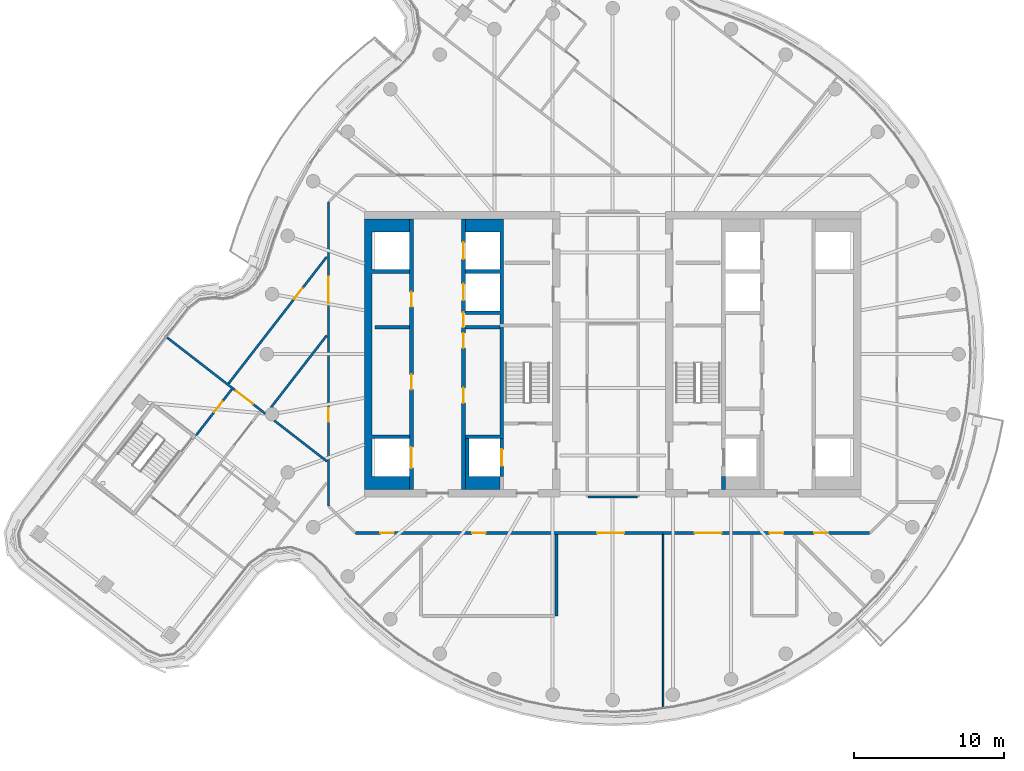
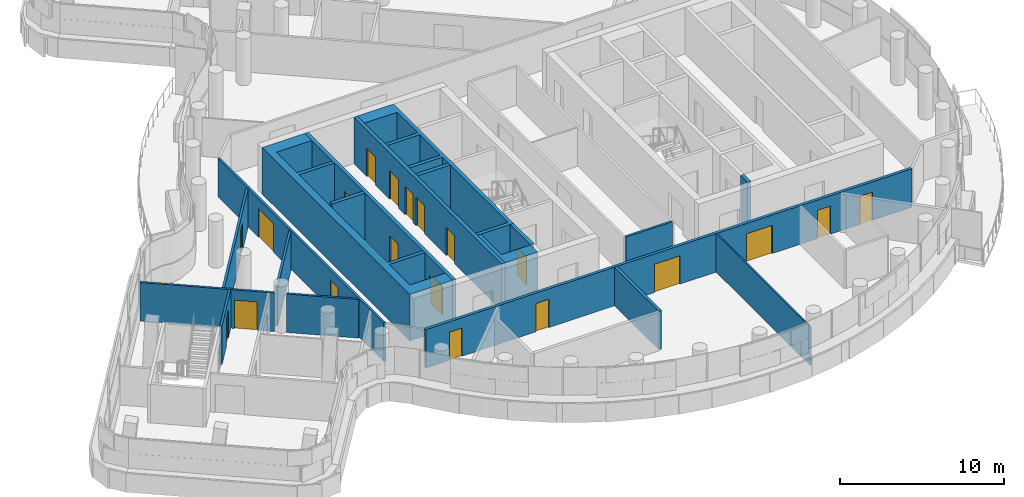
# One storey, part 17 of 26: 20 doors, 19 walls, 20 openings.
"""IFC4 building model written with IfcOpenShell, lengths in metres."""

from ifc_helpers import new_model, si_unit, direction, frame, frame_2d, origin, place, context, subcontext, project, spatial, polyline, rectangle, outline, extrude, material, layer, layer_set, type_object, element, fill, save


model = new_model("IFC4")

# Units and contexts
model_context = context("Model", 3, precision=1e-05, world=origin(), true_north=direction((0.0, 1.0)))
body_context = subcontext(model_context, "Body", "Model", "MODEL_VIEW")
ifc_project = project(units=[si_unit("LENGTHUNIT", "METRE"), si_unit("AREAUNIT", "SQUARE_METRE"), si_unit("VOLUMEUNIT", "CUBIC_METRE"), si_unit("PLANEANGLEUNIT", "RADIAN"), si_unit("MASSUNIT", "GRAM", prefix="KILO")], contexts=[model_context])

# Site, building, storey
site_placement = place(None, origin())
site = spatial("IfcSite", under=ifc_project, at=site_placement, CompositionType="ELEMENT")
building_placement = place(site_placement, origin())
building = spatial("IfcBuilding", under=site, at=building_placement, Name="Tamarind Cross Interchange Tower", CompositionType="ELEMENT")
storey_placement = place(building_placement, frame((0.0, 0.0, 223.5)))
storey = spatial("IfcBuildingStorey", under=building, at=storey_placement, Name="L56", CompositionType="ELEMENT", Elevation=223.5)

# Walls
ifc_material_1 = material(Name="Concrete C50", Category="concrete")
ifc_layer_1 = layer(ifc_material_1, 0.5)
ifc_layer_set_1 = layer_set([ifc_layer_1], Name="Concrete C50")
wall_type_1 = type_object("IfcWallType", Name="Core wall 500 mm Concrete C50", PredefinedType="SHEAR", material=ifc_layer_set_1)
wall_1_placement = place(storey_placement, origin())
element("IfcWall", 1, at=wall_1_placement, inside=storey, type_object=wall_type_1, Name="Core wall CWL-L56-W-A", PredefinedType="SHEAR", context=body_context, shape_type="SweptSolid", body=[
    extrude(outline(polyline([(-13.5, -8.125), (-16.0, -8.125), (-16.0, -5.625), (-13.5, -5.625), (-13.5, -5.375), (-16.0, -5.375), (-16.0, 5.375), (-13.5, 5.375), (-13.5, 5.625), (-16.0, 5.625), (-16.0, 8.125), (-13.5, 8.125), (-13.5, 9.0), (-16.0, 9.0), (-16.5, 9.0), (-16.5, -9.0), (-16.0, -9.0), (-13.5, -9.0), (-13.5, -8.125)])), origin(), (0.0, 0.0, 1.0), 3.4599609375),
])
ifc_layer_2 = layer(ifc_material_1, 0.25)
ifc_layer_set_2 = layer_set([ifc_layer_2], Name="Concrete C50")
wall_type_2 = type_object("IfcWallType", Name="Core web wall 250 mm Concrete C50", PredefinedType="SHEAR", material=ifc_layer_set_2)
wall_2_placement = place(storey_placement, origin())
element("IfcWall", 2, at=wall_2_placement, inside=storey, type_object=wall_type_2, Name="Core wall CWL-L56-W-BN", PredefinedType="SHEAR", context=body_context, shape_type="SweptSolid", body=[
    extrude(outline(polyline([(-9.800048828125, -5.375), (-9.800048828125, -5.625), (-7.5, -5.625), (-7.25, -5.625), (-7.25, 9.0), (-7.5, 9.0), (-9.800048828125, 9.0), (-9.800048828125, 8.125), (-7.5, 8.125), (-7.5, 5.625), (-9.800048828125, 5.625), (-9.800048828125, 5.375), (-7.5, 5.375), (-7.5, 2.875), (-9.800048828125, 2.875), (-9.800048828125, 2.625), (-7.5, 2.625), (-7.5, -5.375), (-9.800048828125, -5.375)])), origin(), (0.0, 0.0, 1.0), 3.4599609375),
])
wall_3_placement = place(storey_placement, origin())
element("IfcWall", 3, at=wall_3_placement, inside=storey, type_object=wall_type_2, Name="Core wall CWL-L56-W-BS", PredefinedType="SHEAR", context=body_context, shape_type="SweptSolid", body=[
    extrude(outline(polyline([(-7.5, -8.125), (-9.550048828125, -8.125), (-9.550048828125, -5.625), (-9.800048828125, -5.625), (-9.800048828125, -8.125), (-9.800048828125, -9.0), (-7.5, -9.0), (-7.5, -8.125)])), origin(), (0.0, 0.0, 1.0), 3.4599609375),
])

# Wall, openings, doors
wall_4_placement = place(storey_placement, frame((-13.375, -9.0, 0.0), z_axis=(0.0, 0.0, 1.0), x_axis=(0.0, 1.0, 0.0)))
wall_4 = element("IfcWall", 4, at=wall_4_placement, inside=storey, type_object=wall_type_2, Name="Core wall CWL-L56-W-LA", PredefinedType="SHEAR", context=body_context, shape_type="SweptSolid", body=[
    extrude(rectangle(XDim=18.0, YDim=0.25, at=frame_2d((9.0, 0.0))), origin(), (0.0, 0.0, 1.0), 3.4599609375),
])
opening_1_placement = place(wall_4_placement, frame((1.425048828125, 0.0, 0.0)))
opening_1 = element("IfcOpeningElement", 5, at=opening_1_placement, cuts=wall_4, Name="Opening LD1L56", PredefinedType="OPENING", context=body_context, shape_type="SweptSolid", body=[
    extrude(rectangle(XDim=1.39990234375, YDim=2.10009765625, at=frame_2d((0.699951171875, 1.050048828125))), frame((0.0, 0.135009765625, 0.0), z_axis=(0.0, -1.0, 0.0), x_axis=(1.0, 0.0, 0.0)), (0.0, 0.0, 1.0), 0.27001953125),
])
opening_2_placement = place(wall_4_placement, frame((6.64599609375, 0.0, 0.0)))
opening_2 = element("IfcOpeningElement", 6, at=opening_2_placement, cuts=wall_4, Name="Opening DCW9", PredefinedType="OPENING", context=body_context, shape_type="SweptSolid", body=[
    extrude(rectangle(XDim=1.0, YDim=2.10009765625, at=frame_2d((0.5, 1.050048828125))), frame((0.0, 0.135009765625, 0.0), z_axis=(0.0, -1.0, 0.0), x_axis=(1.0, 0.0, 0.0)), (0.0, 0.0, 1.0), 0.27001953125),
])
opening_3_placement = place(wall_4_placement, frame((12.14599609375, 0.0, 0.0)))
opening_3 = element("IfcOpeningElement", 7, at=opening_3_placement, cuts=wall_4, Name="Opening DCW10", PredefinedType="OPENING", context=body_context, shape_type="SweptSolid", body=[
    extrude(rectangle(XDim=1.0, YDim=2.10009765625, at=frame_2d((0.5, 1.050048828125))), frame((0.0, 0.135009765625, 0.0), z_axis=(0.0, -1.0, 0.0), x_axis=(1.0, 0.0, 0.0)), (0.0, 0.0, 1.0), 0.27001953125),
])
ifc_material_2 = material(Name="Steel, fire-resisting", Category="steel")
door_type_1 = type_object("IfcDoorType", Name="Core fire door 1000 x 2100 FD90", OperationType="SINGLE_SWING_LEFT", PredefinedType="DOOR", material=ifc_material_2)
door_1_placement = place(opening_2_placement, origin())
door_1 = element("IfcDoor", 8, at=door_1_placement, inside=storey, type_object=door_type_1, Name="L56 Guest laundry door", OperationType="SINGLE_SWING_LEFT", OverallHeight=2.10009765625, OverallWidth=1.0, PredefinedType="DOOR", context=body_context, shape_type="SweptSolid", body=[
    extrude(rectangle(XDim=1.0, YDim=2.10009765625, at=frame_2d((0.5, 1.050048828125))), frame((0.0, 0.02490234375, 0.0), z_axis=(0.0, -1.0, 0.0), x_axis=(1.0, 0.0, 0.0)), (0.0, 0.0, 1.0), 0.050048828125),
])
fill(opening_2, door_1)
door_2_placement = place(opening_3_placement, origin())
door_2 = element("IfcDoor", 9, at=door_2_placement, inside=storey, type_object=door_type_1, Name="L56 Housekeeping pantry door", OperationType="SINGLE_SWING_LEFT", OverallHeight=2.10009765625, OverallWidth=1.0, PredefinedType="DOOR", context=body_context, shape_type="SweptSolid", body=[
    extrude(rectangle(XDim=1.0, YDim=2.10009765625, at=frame_2d((0.5, 1.050048828125))), frame((0.0, 0.02490234375, 0.0), z_axis=(0.0, -1.0, 0.0), x_axis=(1.0, 0.0, 0.0)), (0.0, 0.0, 1.0), 0.050048828125),
])
fill(opening_3, door_2)
ifc_material_3 = material(Name="Stainless steel panel", Category="steel")
door_type_2 = type_object("IfcDoorType", Name="Lift landing door 1400 x 2100 E 120", OperationType="SLIDING_TO_LEFT", PredefinedType="DOOR", material=ifc_material_3)
door_3_placement = place(opening_1_placement, origin())
door_3 = element("IfcDoor", 10, at=door_3_placement, inside=storey, type_object=door_type_2, Name="L56 landing door LF1", OperationType="SLIDING_TO_LEFT", OverallHeight=2.10009765625, OverallWidth=1.39990234375, PredefinedType="DOOR", context=body_context, shape_type="SweptSolid", body=[
    extrude(rectangle(XDim=1.39990234375, YDim=2.10009765625, at=frame_2d((0.699951171875, 1.050048828125))), frame((0.0, 0.02490234375, 0.0), z_axis=(0.0, -1.0, 0.0), x_axis=(1.0, 0.0, 0.0)), (0.0, 0.0, 1.0), 0.050048828125),
])
fill(opening_1, door_3)

wall_5_placement = place(storey_placement, frame((-9.925048828125, -9.0, 0.0), z_axis=(0.0, 0.0, 1.0), x_axis=(0.0, 1.0, 0.0)))
wall_5 = element("IfcWall", 11, at=wall_5_placement, inside=storey, type_object=wall_type_2, Name="Core wall CWL-L56-W-LB", PredefinedType="SHEAR", context=body_context, shape_type="SweptSolid", body=[
    extrude(rectangle(XDim=18.0, YDim=0.25, at=frame_2d((9.0, 0.0))), origin(), (0.0, 0.0, 1.0), 3.4599609375),
])
opening_4_placement = place(wall_5_placement, frame((12.574951171875, 0.0, 0.0)))
opening_4 = element("IfcOpeningElement", 12, at=opening_4_placement, cuts=wall_5, Name="Opening LD11L56", PredefinedType="OPENING", context=body_context, shape_type="SweptSolid", body=[
    extrude(rectangle(XDim=1.10009765625, YDim=2.10009765625, at=frame_2d((0.550048828125, 1.050048828125))), frame((0.0, 0.135009765625, 0.0), z_axis=(0.0, -1.0, 0.0), x_axis=(1.0, 0.0, 0.0)), (0.0, 0.0, 1.0), 0.27001953125),
])
opening_5_placement = place(wall_5_placement, frame((15.324951171875, 0.0, 0.0)))
opening_5 = element("IfcOpeningElement", 13, at=opening_5_placement, cuts=wall_5, Name="Opening LD12L56", PredefinedType="OPENING", context=body_context, shape_type="SweptSolid", body=[
    extrude(rectangle(XDim=1.10009765625, YDim=2.10009765625, at=frame_2d((0.550048828125, 1.050048828125))), frame((0.0, 0.135009765625, 0.0), z_axis=(0.0, -1.0, 0.0), x_axis=(1.0, 0.0, 0.0)), (0.0, 0.0, 1.0), 0.27001953125),
])
opening_6_placement = place(wall_5_placement, frame((5.75, 0.0, 0.0)))
opening_6 = element("IfcOpeningElement", 14, at=opening_6_placement, cuts=wall_5, Name="Opening DCW21", PredefinedType="OPENING", context=body_context, shape_type="SweptSolid", body=[
    extrude(rectangle(XDim=1.0, YDim=2.10009765625, at=frame_2d((0.5, 1.050048828125))), frame((0.0, 0.135009765625, 0.0), z_axis=(0.0, -1.0, 0.0), x_axis=(1.0, 0.0, 0.0)), (0.0, 0.0, 1.0), 0.27001953125),
])
opening_7_placement = place(wall_5_placement, frame((9.39599609375, 0.0, 0.0)))
opening_7 = element("IfcOpeningElement", 15, at=opening_7_placement, cuts=wall_5, Name="Opening DCW21", PredefinedType="OPENING", context=body_context, shape_type="SweptSolid", body=[
    extrude(rectangle(XDim=1.0, YDim=2.10009765625, at=frame_2d((0.5, 1.050048828125))), frame((0.0, 0.135009765625, 0.0), z_axis=(0.0, -1.0, 0.0), x_axis=(1.0, 0.0, 0.0)), (0.0, 0.0, 1.0), 0.27001953125),
])
opening_8_placement = place(wall_5_placement, frame((10.77099609375, 0.0, 0.0)))
opening_8 = element("IfcOpeningElement", 16, at=opening_8_placement, cuts=wall_5, Name="Opening DCW22", PredefinedType="OPENING", context=body_context, shape_type="SweptSolid", body=[
    extrude(rectangle(XDim=1.0, YDim=2.10009765625, at=frame_2d((0.5, 1.050048828125))), frame((0.0, 0.135009765625, 0.0), z_axis=(0.0, -1.0, 0.0), x_axis=(1.0, 0.0, 0.0)), (0.0, 0.0, 1.0), 0.27001953125),
])
door_4_placement = place(opening_6_placement, origin())
door_4 = element("IfcDoor", 17, at=door_4_placement, inside=storey, type_object=door_type_1, Name="L56 Housekeeping pantry door", OperationType="SINGLE_SWING_LEFT", OverallHeight=2.10009765625, OverallWidth=1.0, PredefinedType="DOOR", context=body_context, shape_type="SweptSolid", body=[
    extrude(rectangle(XDim=1.0, YDim=2.10009765625, at=frame_2d((0.5, 1.050048828125))), frame((0.0, 0.02490234375, 0.0), z_axis=(0.0, -1.0, 0.0), x_axis=(1.0, 0.0, 0.0)), (0.0, 0.0, 1.0), 0.050048828125),
])
fill(opening_6, door_4)
door_5_placement = place(opening_7_placement, origin())
door_5 = element("IfcDoor", 18, at=door_5_placement, inside=storey, type_object=door_type_1, Name="L56 Housekeeping pantry door", OperationType="SINGLE_SWING_LEFT", OverallHeight=2.10009765625, OverallWidth=1.0, PredefinedType="DOOR", context=body_context, shape_type="SweptSolid", body=[
    extrude(rectangle(XDim=1.0, YDim=2.10009765625, at=frame_2d((0.5, 1.050048828125))), frame((0.0, 0.02490234375, 0.0), z_axis=(0.0, -1.0, 0.0), x_axis=(1.0, 0.0, 0.0)), (0.0, 0.0, 1.0), 0.050048828125),
])
fill(opening_7, door_5)
door_6_placement = place(opening_8_placement, origin())
door_6 = element("IfcDoor", 19, at=door_6_placement, inside=storey, type_object=door_type_1, Name="L56 Linen press door", OperationType="SINGLE_SWING_LEFT", OverallHeight=2.10009765625, OverallWidth=1.0, PredefinedType="DOOR", context=body_context, shape_type="SweptSolid", body=[
    extrude(rectangle(XDim=1.0, YDim=2.10009765625, at=frame_2d((0.5, 1.050048828125))), frame((0.0, 0.02490234375, 0.0), z_axis=(0.0, -1.0, 0.0), x_axis=(1.0, 0.0, 0.0)), (0.0, 0.0, 1.0), 0.050048828125),
])
fill(opening_8, door_6)
door_type_3 = type_object("IfcDoorType", Name="Lift landing door 1100 x 2100 E 120", OperationType="SLIDING_TO_LEFT", PredefinedType="DOOR", material=ifc_material_3)
door_7_placement = place(opening_4_placement, origin())
door_7 = element("IfcDoor", 20, at=door_7_placement, inside=storey, type_object=door_type_3, Name="L56 landing door LF11", OperationType="SLIDING_TO_LEFT", OverallHeight=2.10009765625, OverallWidth=1.10009765625, PredefinedType="DOOR", context=body_context, shape_type="SweptSolid", body=[
    extrude(rectangle(XDim=1.10009765625, YDim=2.10009765625, at=frame_2d((0.550048828125, 1.050048828125))), frame((0.0, 0.02490234375, 0.0), z_axis=(0.0, -1.0, 0.0), x_axis=(1.0, 0.0, 0.0)), (0.0, 0.0, 1.0), 0.050048828125),
])
fill(opening_4, door_7)
door_8_placement = place(opening_5_placement, origin())
door_8 = element("IfcDoor", 21, at=door_8_placement, inside=storey, type_object=door_type_3, Name="L56 landing door LF12", OperationType="SLIDING_TO_LEFT", OverallHeight=2.10009765625, OverallWidth=1.10009765625, PredefinedType="DOOR", context=body_context, shape_type="SweptSolid", body=[
    extrude(rectangle(XDim=1.10009765625, YDim=2.10009765625, at=frame_2d((0.550048828125, 1.050048828125))), frame((0.0, 0.02490234375, 0.0), z_axis=(0.0, -1.0, 0.0), x_axis=(1.0, 0.0, 0.0)), (0.0, 0.0, 1.0), 0.050048828125),
])
fill(opening_5, door_8)

# Wall, opening, door
wall_6_placement = place(storey_placement, frame((-7.375, -8.125, 0.0), z_axis=(0.0, 0.0, 1.0), x_axis=(0.0, 1.0, 0.0)))
wall_6 = element("IfcWall", 22, at=wall_6_placement, inside=storey, type_object=wall_type_2, Name="Core wall CWL-L56-W-FF", PredefinedType="SHEAR", context=body_context, shape_type="SweptSolid", body=[
    extrude(rectangle(XDim=2.5, YDim=0.25, at=frame_2d((1.25, 0.0))), origin(), (0.0, 0.0, 1.0), 3.4599609375),
])
opening_9_placement = place(wall_6_placement, frame((0.699951171875, 0.0, 0.0)))
opening_9 = element("IfcOpeningElement", 23, at=opening_9_placement, cuts=wall_6, Name="Opening LD7L56", PredefinedType="OPENING", context=body_context, shape_type="SweptSolid", body=[
    extrude(rectangle(XDim=1.10009765625, YDim=2.10009765625, at=frame_2d((0.550048828125, 1.050048828125))), frame((0.0, 0.135009765625, 0.0), z_axis=(0.0, -1.0, 0.0), x_axis=(1.0, 0.0, 0.0)), (0.0, 0.0, 1.0), 0.27001953125),
])
door_9_placement = place(opening_9_placement, origin())
door_9 = element("IfcDoor", 24, at=door_9_placement, inside=storey, type_object=door_type_3, Name="L56 landing door LF7", OperationType="SLIDING_TO_LEFT", OverallHeight=2.10009765625, OverallWidth=1.10009765625, PredefinedType="DOOR", context=body_context, shape_type="SweptSolid", body=[
    extrude(rectangle(XDim=1.10009765625, YDim=2.10009765625, at=frame_2d((0.550048828125, 1.050048828125))), frame((0.0, 0.02490234375, 0.0), z_axis=(0.0, -1.0, 0.0), x_axis=(1.0, 0.0, 0.0)), (0.0, 0.0, 1.0), 0.050048828125),
])
fill(opening_9, door_9)

# Walls
wall_7_placement = place(storey_placement, frame((7.375, -9.0, 0.0), z_axis=(0.0, 0.0, 1.0), x_axis=(0.0, 1.0, 0.0)))
element("IfcWall", 25, at=wall_7_placement, inside=storey, type_object=wall_type_2, Name="Core wall CWL-L56-E-BW", PredefinedType="SHEAR", context=body_context, shape_type="SweptSolid", body=[
    extrude(rectangle(XDim=0.875, YDim=0.25, at=frame_2d((0.4375, 0.0))), origin(), (0.0, 0.0, 1.0), 3.4599609375),
])
ifc_material_4 = material(Name="Gypsum board partition on steel studs", Category="steel")
ifc_layer_3 = layer(ifc_material_4, 0.10009765625)
ifc_layer_set_3 = layer_set([ifc_layer_3], Name="Gypsum board partition on steel studs")
wall_type_3 = type_object("IfcWallType", Name="Partition 100 mm EI 90", PredefinedType="PARTITIONING", material=ifc_layer_set_3)
wall_8_placement = place(storey_placement, frame((3.347900390625, -23.438720703125, 0.0), z_axis=(0.0, 0.0, 1.0), x_axis=(0.0, 1.0, 0.0)))
element("IfcWall", 26, at=wall_8_placement, inside=storey, type_object=wall_type_3, Name="Partition L56-058", PredefinedType="PARTITIONING", context=body_context, shape_type="SweptSolid", body=[
    extrude(rectangle(XDim=11.458740234375, YDim=0.10009765625, at=frame_2d((5.7294921875, 0.0))), origin(), (0.0, 0.0, 1.0), 2.864013671875),
])

# Wall, opening, door
ifc_layer_4 = layer(ifc_material_4, 0.14990234375)
ifc_layer_set_4 = layer_set([ifc_layer_4], Name="Gypsum board partition on steel studs")
wall_type_4 = type_object("IfcWallType", Name="Partition 150 mm EI 120", PredefinedType="PARTITIONING", material=ifc_layer_set_4)
wall_9_placement = place(storey_placement, frame((-29.622802734375, 1.09814453125, 0.0), z_axis=(0.0, 0.0, 1.0), x_axis=(0.790553645824, -0.612392793127, 0.0)))
wall_9 = element("IfcWall", 27, at=wall_9_placement, inside=storey, type_object=wall_type_4, Name="Partition L56-006", PredefinedType="PARTITIONING", context=body_context, shape_type="SweptSolid", body=[
    extrude(rectangle(XDim=8.250732421875, YDim=0.14990234375, at=frame_2d((4.12548828125, 0.0))), origin(), (0.0, 0.0, 1.0), 2.864013671875),
])
opening_10_placement = place(wall_9_placement, frame((5.798583984375, 0.0, 0.0)))
opening_10 = element("IfcOpeningElement", 28, at=opening_10_placement, cuts=wall_9, Name="Opening D02", PredefinedType="OPENING", context=body_context, shape_type="SweptSolid", body=[
    extrude(rectangle(XDim=1.39990234375, YDim=2.10009765625, at=frame_2d((0.699951171875, 1.050048828125))), frame((0.0, 0.0849609375, 0.0), z_axis=(0.0, -1.0, 0.0), x_axis=(1.0, 0.0, 0.0)), (0.0, 0.0, 1.0), 0.169921875),
])
ifc_material_5 = material(Name="Fire-resisting door set")
door_type_4 = type_object("IfcDoorType", Name="Interior door 1400 x 2100 FD60S", OperationType="DOUBLE_DOOR_SINGLE_SWING", PredefinedType="DOOR", material=ifc_material_5)
door_10_placement = place(opening_10_placement, origin())
door_10 = element("IfcDoor", 29, at=door_10_placement, inside=storey, type_object=door_type_4, Name="Door D02", OperationType="DOUBLE_DOOR_SINGLE_SWING", OverallHeight=2.10009765625, OverallWidth=1.39990234375, PredefinedType="DOOR", context=body_context, shape_type="SweptSolid", body=[
    extrude(rectangle(XDim=1.39990234375, YDim=2.10009765625, at=frame_2d((0.699951171875, 1.050048828125))), frame((0.0, 0.02490234375, 0.0), z_axis=(0.0, -1.0, 0.0), x_axis=(1.0, 0.0, 0.0)), (0.0, 0.0, 1.0), 0.050048828125),
])
fill(opening_10, door_10)

# Walls
wall_10_placement = place(storey_placement, frame((-22.505615234375, -4.4150390625, 0.0), z_axis=(0.0, 0.0, 1.0), x_axis=(0.790567094593, -0.612375431371, 0.0)))
element("IfcWall", 30, at=wall_10_placement, inside=storey, type_object=wall_type_4, Name="Partition L56-007", PredefinedType="PARTITIONING", context=body_context, shape_type="SweptSolid", body=[
    extrude(rectangle(XDim=4.430908203125, YDim=0.14990234375, at=frame_2d((2.21533203125, 0.0))), origin(), (0.0, 0.0, 1.0), 2.864013671875),
])
wall_11_placement = place(storey_placement, frame((-1.639892578125, -9.5, 0.0), z_axis=(0.0, 0.0, 1.0), x_axis=(1.0, 0.0, 0.0)))
element("IfcWall", 31, at=wall_11_placement, inside=storey, type_object=wall_type_4, Name="Partition L56-027", PredefinedType="PARTITIONING", context=body_context, shape_type="SweptSolid", body=[
    extrude(rectangle(XDim=3.27978515625, YDim=0.14990234375, at=frame_2d((1.639892578125, 0.0))), origin(), (0.0, 0.0, 1.0), 2.864013671875),
])

# Wall, opening, door
wall_12_placement = place(storey_placement, frame((-27.70068359375, -5.39990234375, 0.0), z_axis=(0.0, 0.0, 1.0), x_axis=(0.61230136397, 0.790624461853, 0.0)))
wall_12 = element("IfcWall", 32, at=wall_12_placement, inside=storey, type_object=wall_type_4, Name="Partition L56-036", PredefinedType="PARTITIONING", context=body_context, shape_type="SweptSolid", body=[
    extrude(rectangle(XDim=3.880126953125, YDim=0.14990234375, at=frame_2d((1.93994140625, 0.0))), origin(), (0.0, 0.0, 1.0), 2.864013671875),
])
opening_11_placement = place(wall_12_placement, frame((1.949951171875, 0.0, 0.0)))
opening_11 = element("IfcOpeningElement", 33, at=opening_11_placement, cuts=wall_12, Name="Opening D23", PredefinedType="OPENING", context=body_context, shape_type="SweptSolid", body=[
    extrude(rectangle(XDim=0.89990234375, YDim=2.10009765625, at=frame_2d((0.449951171875, 1.050048828125))), frame((0.0, 0.0849609375, 0.0), z_axis=(0.0, -1.0, 0.0), x_axis=(1.0, 0.0, 0.0)), (0.0, 0.0, 1.0), 0.169921875),
])
door_type_5 = type_object("IfcDoorType", Name="Interior door 900 x 2100 FD60S", OperationType="SINGLE_SWING_LEFT", PredefinedType="DOOR", material=ifc_material_5)
door_11_placement = place(opening_11_placement, origin())
door_11 = element("IfcDoor", 34, at=door_11_placement, inside=storey, type_object=door_type_5, Name="Door D23", OperationType="SINGLE_SWING_LEFT", OverallHeight=2.10009765625, OverallWidth=0.89990234375, PredefinedType="DOOR", context=body_context, shape_type="SweptSolid", body=[
    extrude(rectangle(XDim=0.89990234375, YDim=2.10009765625, at=frame_2d((0.449951171875, 1.050048828125))), frame((0.0, 0.02490234375, 0.0), z_axis=(0.0, -1.0, 0.0), x_axis=(1.0, 0.0, 0.0)), (0.0, 0.0, 1.0), 0.050048828125),
])
fill(opening_11, door_11)

wall_13_placement = place(storey_placement, frame((-25.54296875, -1.960693359375, 0.0), z_axis=(0.0, 0.0, 1.0), x_axis=(0.612385240141, 0.790559496596, 0.0)))
wall_13 = element("IfcWall", 35, at=wall_13_placement, inside=storey, type_object=wall_type_4, Name="Partition L56-037", PredefinedType="PARTITIONING", context=body_context, shape_type="SweptSolid", body=[
    extrude(rectangle(XDim=10.65771484375, YDim=0.14990234375, at=frame_2d((5.328857421875, 0.0))), origin(), (0.0, 0.0, 1.0), 2.864013671875),
])
opening_12_placement = place(wall_13_placement, frame((7.1201171875, 0.0, 0.0)))
opening_12 = element("IfcOpeningElement", 36, at=opening_12_placement, cuts=wall_13, Name="Opening D24", PredefinedType="OPENING", context=body_context, shape_type="SweptSolid", body=[
    extrude(rectangle(XDim=0.89990234375, YDim=2.10009765625, at=frame_2d((0.449951171875, 1.050048828125))), frame((0.0, 0.0849609375, 0.0), z_axis=(0.0, -1.0, 0.0), x_axis=(1.0, 0.0, 0.0)), (0.0, 0.0, 1.0), 0.169921875),
])
door_12_placement = place(opening_12_placement, origin())
door_12 = element("IfcDoor", 37, at=door_12_placement, inside=storey, type_object=door_type_5, Name="Door D24", OperationType="SINGLE_SWING_LEFT", OverallHeight=2.10009765625, OverallWidth=0.89990234375, PredefinedType="DOOR", context=body_context, shape_type="SweptSolid", body=[
    extrude(rectangle(XDim=0.89990234375, YDim=2.10009765625, at=frame_2d((0.449951171875, 1.050048828125))), frame((0.0, 0.02490234375, 0.0), z_axis=(0.0, -1.0, 0.0), x_axis=(1.0, 0.0, 0.0)), (0.0, 0.0, 1.0), 0.050048828125),
])
fill(opening_12, door_12)

# Wall
wall_14_placement = place(storey_placement, frame((-22.729736328125, -3.55517578125, 0.0), z_axis=(0.0, 0.0, 1.0), x_axis=(0.612372933998, 0.790569029059, 0.0)))
element("IfcWall", 38, at=wall_14_placement, inside=storey, type_object=wall_type_4, Name="Partition L56-038", PredefinedType="PARTITIONING", context=body_context, shape_type="SweptSolid", body=[
    extrude(rectangle(XDim=6.06396484375, YDim=0.14990234375, at=frame_2d((3.031982421875, 0.0))), origin(), (0.0, 0.0, 1.0), 2.864013671875),
])

# Wall, openings, doors
wall_15_placement = place(storey_placement, frame((-18.89990234375, -10.10009765625, 0.0), z_axis=(0.0, 0.0, 1.0), x_axis=(0.0, 1.0, 0.0)))
wall_15 = element("IfcWall", 39, at=wall_15_placement, inside=storey, type_object=wall_type_4, Name="Partition L56-053", PredefinedType="PARTITIONING", context=body_context, shape_type="SweptSolid", body=[
    extrude(rectangle(XDim=20.2001953125, YDim=0.14990234375, at=frame_2d((10.10009765625, 0.0))), origin(), (0.0, 0.0, 1.0), 2.864013671875),
])
opening_13_placement = place(wall_15_placement, frame((13.43896484375, 0.0, 0.0)))
opening_13 = element("IfcOpeningElement", 40, at=opening_13_placement, cuts=wall_15, Name="Opening D29", PredefinedType="OPENING", context=body_context, shape_type="SweptSolid", body=[
    extrude(rectangle(XDim=1.800048828125, YDim=2.10009765625, at=frame_2d((0.89990234375, 1.050048828125))), frame((0.0, 0.0849609375, 0.0), z_axis=(0.0, -1.0, 0.0), x_axis=(1.0, 0.0, 0.0)), (0.0, 0.0, 1.0), 0.169921875),
])
opening_14_placement = place(wall_15_placement, frame((5.592041015625, 0.0, 0.0)))
opening_14 = element("IfcOpeningElement", 41, at=opening_14_placement, cuts=wall_15, Name="Opening D30", PredefinedType="OPENING", context=body_context, shape_type="SweptSolid", body=[
    extrude(rectangle(XDim=0.89990234375, YDim=2.10009765625, at=frame_2d((0.449951171875, 1.050048828125))), frame((0.0, 0.0849609375, 0.0), z_axis=(0.0, -1.0, 0.0), x_axis=(1.0, 0.0, 0.0)), (0.0, 0.0, 1.0), 0.169921875),
])
door_type_6 = type_object("IfcDoorType", Name="Interior door 1800 x 2100 FD60S", OperationType="DOUBLE_DOOR_SINGLE_SWING", PredefinedType="DOOR", material=ifc_material_5)
door_13_placement = place(opening_13_placement, frame((1.800048828125, 0.0, 0.0), z_axis=(0.0, 0.0, 1.0), x_axis=(-1.0, 0.0, 0.0)))
door_13 = element("IfcDoor", 42, at=door_13_placement, inside=storey, type_object=door_type_6, Name="Door D29", OperationType="DOUBLE_DOOR_SINGLE_SWING", OverallHeight=2.10009765625, OverallWidth=1.800048828125, PredefinedType="DOOR", context=body_context, shape_type="SweptSolid", body=[
    extrude(rectangle(XDim=1.800048828125, YDim=2.10009765625, at=frame_2d((0.89990234375, 1.050048828125))), frame((0.0, 0.02490234375, 0.0), z_axis=(0.0, -1.0, 0.0), x_axis=(1.0, 0.0, 0.0)), (0.0, 0.0, 1.0), 0.050048828125),
])
fill(opening_13, door_13)
door_14_placement = place(opening_14_placement, origin())
door_14 = element("IfcDoor", 43, at=door_14_placement, inside=storey, type_object=door_type_5, Name="Door D30", OperationType="SINGLE_SWING_RIGHT", OverallHeight=2.10009765625, OverallWidth=0.89990234375, PredefinedType="DOOR", context=body_context, shape_type="SweptSolid", body=[
    extrude(rectangle(XDim=0.89990234375, YDim=2.10009765625, at=frame_2d((0.449951171875, 1.050048828125))), frame((0.0, 0.02490234375, 0.0), z_axis=(0.0, -1.0, 0.0), x_axis=(1.0, 0.0, 0.0)), (0.0, 0.0, 1.0), 0.050048828125),
])
fill(opening_14, door_14)

ifc_layer_5 = layer(ifc_material_4, 0.199951171875)
ifc_layer_set_5 = layer_set([ifc_layer_5], Name="Gypsum board partition on steel studs")
wall_type_5 = type_object("IfcWallType", Name="Partition 200 mm EI 180", PredefinedType="PARTITIONING", material=ifc_layer_set_5)
wall_16_placement = place(storey_placement, frame((-17.10009765625, -11.89990234375, 0.0), z_axis=(0.0, 0.0, 1.0), x_axis=(1.0, 0.0, 0.0)))
wall_16 = element("IfcWall", 44, at=wall_16_placement, inside=storey, type_object=wall_type_5, Name="Partition L56-023", PredefinedType="PARTITIONING", context=body_context, shape_type="SweptSolid", body=[
    extrude(rectangle(XDim=34.1650390625, YDim=0.199951171875, at=frame_2d((17.08251953125, 0.0))), origin(), (0.0, 0.0, 1.0), 2.864013671875),
])
opening_15_placement = place(wall_16_placement, frame((7.75, 0.0, 0.0)))
opening_15 = element("IfcOpeningElement", 45, at=opening_15_placement, cuts=wall_16, Name="Opening D12", PredefinedType="OPENING", context=body_context, shape_type="SweptSolid", body=[
    extrude(rectangle(XDim=0.89990234375, YDim=2.10009765625, at=frame_2d((0.449951171875, 1.050048828125))), frame((0.0, 0.10986328125, 0.0), z_axis=(0.0, -1.0, 0.0), x_axis=(1.0, 0.0, 0.0)), (0.0, 0.0, 1.0), 0.219970703125),
])
opening_16_placement = place(wall_16_placement, frame((27.541015625, 0.0, 0.0)))
opening_16 = element("IfcOpeningElement", 46, at=opening_16_placement, cuts=wall_16, Name="Opening D13", PredefinedType="OPENING", context=body_context, shape_type="SweptSolid", body=[
    extrude(rectangle(XDim=0.89990234375, YDim=2.10009765625, at=frame_2d((0.449951171875, 1.050048828125))), frame((0.0, 0.10986328125, 0.0), z_axis=(0.0, -1.0, 0.0), x_axis=(1.0, 0.0, 0.0)), (0.0, 0.0, 1.0), 0.219970703125),
])
opening_17_placement = place(wall_16_placement, frame((16.05908203125, 0.0, 0.0)))
opening_17 = element("IfcOpeningElement", 47, at=opening_17_placement, cuts=wall_16, Name="Opening D14", PredefinedType="OPENING", context=body_context, shape_type="SweptSolid", body=[
    extrude(rectangle(XDim=1.800048828125, YDim=2.10009765625, at=frame_2d((0.89990234375, 1.050048828125))), frame((0.0, 0.10986328125, 0.0), z_axis=(0.0, -1.0, 0.0), x_axis=(1.0, 0.0, 0.0)), (0.0, 0.0, 1.0), 0.219970703125),
])
opening_18_placement = place(wall_16_placement, frame((22.548095703125, 0.0, 0.0)))
opening_18 = element("IfcOpeningElement", 48, at=opening_18_placement, cuts=wall_16, Name="Opening D15", PredefinedType="OPENING", context=body_context, shape_type="SweptSolid", body=[
    extrude(rectangle(XDim=1.800048828125, YDim=2.10009765625, at=frame_2d((0.89990234375, 1.050048828125))), frame((0.0, 0.10986328125, 0.0), z_axis=(0.0, -1.0, 0.0), x_axis=(1.0, 0.0, 0.0)), (0.0, 0.0, 1.0), 0.219970703125),
])
opening_19_placement = place(wall_16_placement, frame((30.5, 0.0, 0.0)))
opening_19 = element("IfcOpeningElement", 49, at=opening_19_placement, cuts=wall_16, Name="Opening D16", PredefinedType="OPENING", context=body_context, shape_type="SweptSolid", body=[
    extrude(rectangle(XDim=0.89990234375, YDim=2.10009765625, at=frame_2d((0.449951171875, 1.050048828125))), frame((0.0, 0.10986328125, 0.0), z_axis=(0.0, -1.0, 0.0), x_axis=(1.0, 0.0, 0.0)), (0.0, 0.0, 1.0), 0.219970703125),
])
opening_20_placement = place(wall_16_placement, frame((1.64990234375, 0.0, 0.0)))
opening_20 = element("IfcOpeningElement", 50, at=opening_20_placement, cuts=wall_16, Name="Opening D17", PredefinedType="OPENING", context=body_context, shape_type="SweptSolid", body=[
    extrude(rectangle(XDim=0.89990234375, YDim=2.10009765625, at=frame_2d((0.449951171875, 1.050048828125))), frame((0.0, 0.10986328125, 0.0), z_axis=(0.0, -1.0, 0.0), x_axis=(1.0, 0.0, 0.0)), (0.0, 0.0, 1.0), 0.219970703125),
])
door_type_7 = type_object("IfcDoorType", Name="Interior door 1800 x 2100 FD120S", OperationType="DOUBLE_DOOR_SINGLE_SWING", PredefinedType="DOOR", material=ifc_material_5)
door_15_placement = place(opening_17_placement, origin())
door_15 = element("IfcDoor", 51, at=door_15_placement, inside=storey, type_object=door_type_7, Name="Door D14", OperationType="DOUBLE_DOOR_SINGLE_SWING", OverallHeight=2.10009765625, OverallWidth=1.800048828125, PredefinedType="DOOR", context=body_context, shape_type="SweptSolid", body=[
    extrude(rectangle(XDim=1.800048828125, YDim=2.10009765625, at=frame_2d((0.89990234375, 1.050048828125))), frame((0.0, 0.02490234375, 0.0), z_axis=(0.0, -1.0, 0.0), x_axis=(1.0, 0.0, 0.0)), (0.0, 0.0, 1.0), 0.050048828125),
])
fill(opening_17, door_15)
door_16_placement = place(opening_18_placement, frame((1.800048828125, 0.0, 0.0), z_axis=(0.0, 0.0, 1.0), x_axis=(-1.0, 0.0, 0.0)))
door_16 = element("IfcDoor", 52, at=door_16_placement, inside=storey, type_object=door_type_7, Name="Door D15", OperationType="DOUBLE_DOOR_SINGLE_SWING", OverallHeight=2.10009765625, OverallWidth=1.800048828125, PredefinedType="DOOR", context=body_context, shape_type="SweptSolid", body=[
    extrude(rectangle(XDim=1.800048828125, YDim=2.10009765625, at=frame_2d((0.89990234375, 1.050048828125))), frame((0.0, 0.02490234375, 0.0), z_axis=(0.0, -1.0, 0.0), x_axis=(1.0, 0.0, 0.0)), (0.0, 0.0, 1.0), 0.050048828125),
])
fill(opening_18, door_16)
door_type_8 = type_object("IfcDoorType", Name="Interior door 900 x 2100 FD120S", OperationType="SINGLE_SWING_LEFT", PredefinedType="DOOR", material=ifc_material_5)
door_17_placement = place(opening_15_placement, frame((0.89990234375, 0.0, 0.0), z_axis=(0.0, 0.0, 1.0), x_axis=(-1.0, 0.0, 0.0)))
door_17 = element("IfcDoor", 53, at=door_17_placement, inside=storey, type_object=door_type_8, Name="Door D12", OperationType="SINGLE_SWING_LEFT", OverallHeight=2.10009765625, OverallWidth=0.89990234375, PredefinedType="DOOR", context=body_context, shape_type="SweptSolid", body=[
    extrude(rectangle(XDim=0.89990234375, YDim=2.10009765625, at=frame_2d((0.449951171875, 1.050048828125))), frame((0.0, 0.02490234375, 0.0), z_axis=(0.0, -1.0, 0.0), x_axis=(1.0, 0.0, 0.0)), (0.0, 0.0, 1.0), 0.050048828125),
])
fill(opening_15, door_17)
door_18_placement = place(opening_16_placement, frame((0.89990234375, 0.0, 0.0), z_axis=(0.0, 0.0, 1.0), x_axis=(-1.0, 0.0, 0.0)))
door_18 = element("IfcDoor", 54, at=door_18_placement, inside=storey, type_object=door_type_8, Name="Door D13", OperationType="SINGLE_SWING_RIGHT", OverallHeight=2.10009765625, OverallWidth=0.89990234375, PredefinedType="DOOR", context=body_context, shape_type="SweptSolid", body=[
    extrude(rectangle(XDim=0.89990234375, YDim=2.10009765625, at=frame_2d((0.449951171875, 1.050048828125))), frame((0.0, 0.02490234375, 0.0), z_axis=(0.0, -1.0, 0.0), x_axis=(1.0, 0.0, 0.0)), (0.0, 0.0, 1.0), 0.050048828125),
])
fill(opening_16, door_18)
door_19_placement = place(opening_19_placement, frame((0.89990234375, 0.0, 0.0), z_axis=(0.0, 0.0, 1.0), x_axis=(-1.0, 0.0, 0.0)))
door_19 = element("IfcDoor", 55, at=door_19_placement, inside=storey, type_object=door_type_8, Name="Door D16", OperationType="SINGLE_SWING_RIGHT", OverallHeight=2.10009765625, OverallWidth=0.89990234375, PredefinedType="DOOR", context=body_context, shape_type="SweptSolid", body=[
    extrude(rectangle(XDim=0.89990234375, YDim=2.10009765625, at=frame_2d((0.449951171875, 1.050048828125))), frame((0.0, 0.02490234375, 0.0), z_axis=(0.0, -1.0, 0.0), x_axis=(1.0, 0.0, 0.0)), (0.0, 0.0, 1.0), 0.050048828125),
])
fill(opening_19, door_19)
door_20_placement = place(opening_20_placement, frame((0.89990234375, 0.0, 0.0), z_axis=(0.0, 0.0, 1.0), x_axis=(-1.0, 0.0, 0.0)))
door_20 = element("IfcDoor", 56, at=door_20_placement, inside=storey, type_object=door_type_8, Name="Door D17", OperationType="SINGLE_SWING_LEFT", OverallHeight=2.10009765625, OverallWidth=0.89990234375, PredefinedType="DOOR", context=body_context, shape_type="SweptSolid", body=[
    extrude(rectangle(XDim=0.89990234375, YDim=2.10009765625, at=frame_2d((0.449951171875, 1.050048828125))), frame((0.0, 0.02490234375, 0.0), z_axis=(0.0, -1.0, 0.0), x_axis=(1.0, 0.0, 0.0)), (0.0, 0.0, 1.0), 0.050048828125),
])
fill(opening_20, door_20)

# Walls
wall_17_placement = place(storey_placement, frame((-3.740966796875, -17.39990234375, 0.0), z_axis=(0.0, 0.0, 1.0), x_axis=(0.0, 1.0, 0.0)))
element("IfcWall", 57, at=wall_17_placement, inside=storey, type_object=wall_type_5, Name="Partition L56-055", PredefinedType="PARTITIONING", context=body_context, shape_type="SweptSolid", body=[
    extrude(rectangle(XDim=5.419921875, YDim=0.199951171875, at=frame_2d((2.7099609375, 0.0))), origin(), (0.0, 0.0, 1.0), 2.864013671875),
])
ifc_material_6 = material(Name="Concrete C40", Category="concrete")
ifc_layer_6 = layer(ifc_material_6, 0.25)
ifc_layer_set_6 = layer_set([ifc_layer_6], Name="Concrete C40")
wall_type_6 = type_object("IfcWallType", Name="Shaft and lobby wall 250 mm Concrete C40", PredefinedType="PARTITIONING", material=ifc_layer_set_6)
for number, where, z_axis, x_axis, name in (
    (58, (-15.800048828125, 1.7919921875, 0.0), (0.0, 0.0, 1.0), (1.0, 0.0, 0.0), "Shaft wall CWL-L56-W-FPA1"),
    (59, (-9.800048828125, 1.7919921875, 0.0), (0.0, 0.0, 1.0), (1.0, 0.0, 0.0), "Shaft wall CWL-L56-W-FPB3"),
):
    element("IfcWall", number, at=place(storey_placement, frame(where, z_axis=z_axis, x_axis=x_axis)), inside=storey, type_object=wall_type_6, Name=name, PredefinedType="PARTITIONING", context=body_context, shape_type="SweptSolid", body=[
        extrude(rectangle(XDim=2.300048828125, YDim=0.25, at=frame_2d((1.14990234375, 0.0))), origin(), (0.0, 0.0, 1.0), 3.4599609375),
    ])

save(model, "model.ifc")
